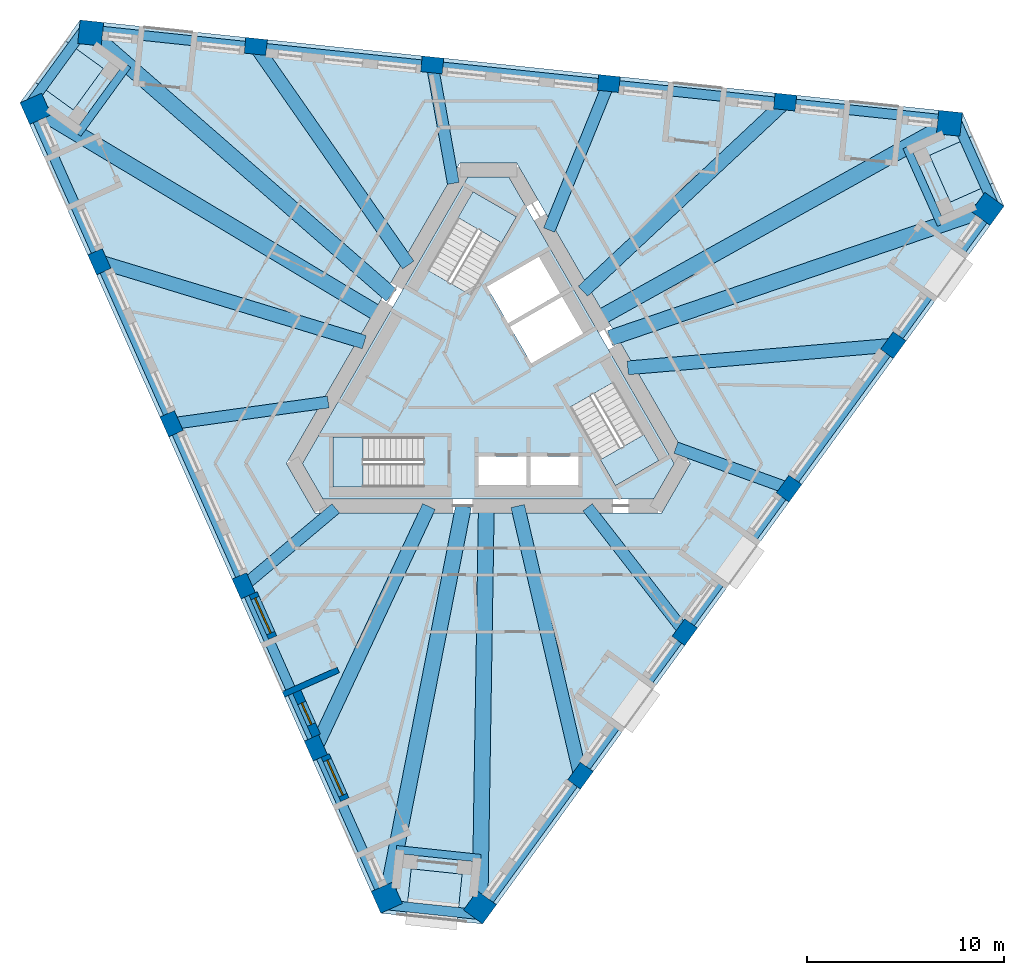
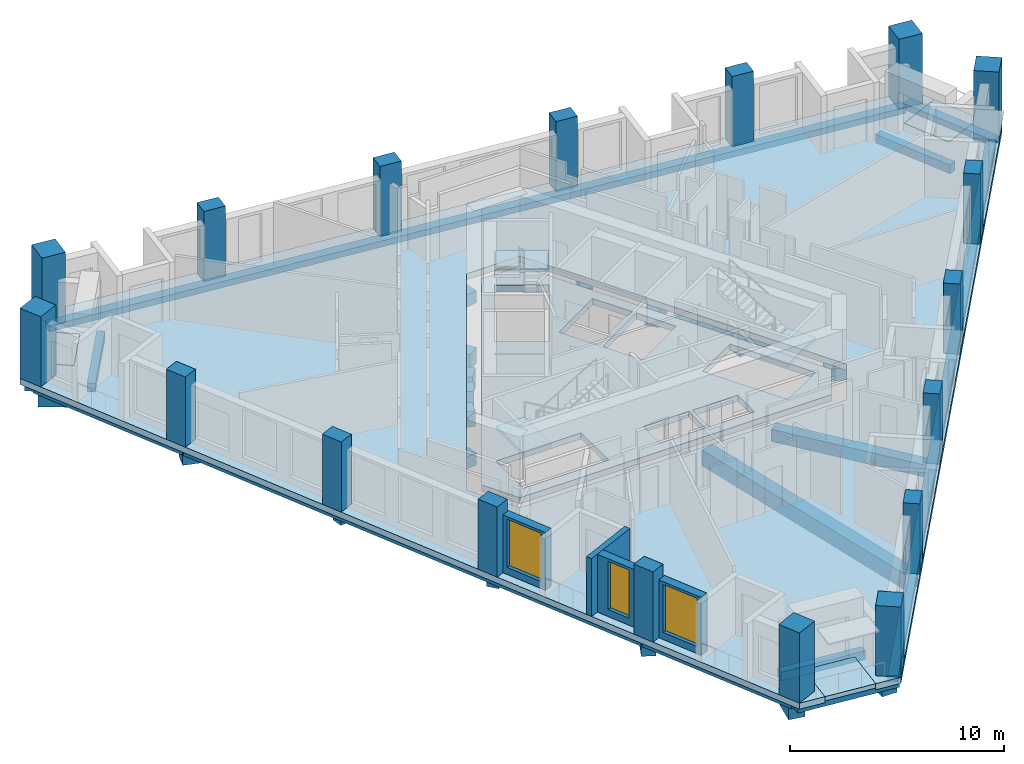
# One storey, part 1 of 11: 27 beams, 18 columns, 8 slabs, 4 walls, 3 windows, 3 openings, 3 elements without a shape of their own.
"""IFC4 building model written with IfcOpenShell, lengths in metres."""

from ifc_helpers import new_model, si_unit, direction, frame, frame_2d, origin, origin_2d, place, context, subcontext, project, spatial, polyline, rectangle, outline, extrude, material, layer, layer_set, material_profile, profile_set, type_object, element, fill, aggregate, save


model = new_model("IFC4")

# Units and contexts
model_context = context("Model", 3, precision=1e-05, world=origin(), true_north=direction((0.0, 1.0)))
body_context = subcontext(model_context, "Body", "Model", "MODEL_VIEW")
ifc_project = project(units=[si_unit("LENGTHUNIT", "METRE"), si_unit("AREAUNIT", "SQUARE_METRE"), si_unit("VOLUMEUNIT", "CUBIC_METRE"), si_unit("PLANEANGLEUNIT", "RADIAN"), si_unit("MASSUNIT", "GRAM", prefix="KILO")], contexts=[model_context])

# Site, building, storey
site_placement = place(None, origin())
site = spatial("IfcSite", under=ifc_project, at=site_placement, CompositionType="ELEMENT")
building_placement = place(site_placement, origin())
building = spatial("IfcBuilding", under=site, at=building_placement, Name="Tramontana Tower", CompositionType="ELEMENT")
storey_placement = place(building_placement, frame((0.0, 0.0, 249.199951171875)))
storey = spatial("IfcBuildingStorey", under=building, at=storey_placement, Name="L58", CompositionType="ELEMENT", Elevation=249.199951171875)

# Columns
ifc_material_1 = material(Name="Concrete 55 MPa", Category="concrete")
ifc_material_profile_1 = material_profile(ifc_material_1, rectangle(XDim=1.199951171875, YDim=1.199951171875, at=origin_2d()), Name="Mega column 1200X1200 55 MPa")
ifc_profile_set_1 = profile_set([ifc_material_profile_1], Name="Concrete 55 MPa")
column_type_1 = type_object("IfcColumnType", Name="Mega column 1200X1200 55 MPa", PredefinedType="COLUMN", material=ifc_profile_set_1)
for number, where, z_axis, x_axis, name in (
    (1, (-22.98291015625, 13.758056640625, 0.0), (0.0, 0.0, 1.0), (0.406736643076, -0.913545457643, 0.0), "Mega column C6K1 L58"),
    (2, (-5.154296875, -26.28564453125, 0.0), (0.0, 0.0, 1.0), (0.406736643076, -0.913545457643, 0.0), "Mega column C6K2 L58"),
    (3, (-0.42333984375, -26.782958984375, 0.0), (0.0, 0.0, 1.0), (0.587785252292, 0.809016994375, 0.0), "Mega column C6K3 L58"),
    (4, (25.341064453125, 8.678955078125, 0.0), (0.0, 0.0, 1.0), (0.587785252292, 0.809016994375, 0.0), "Mega column C6K4 L58"),
    (5, (23.40625, 13.024658203125, 0.0), (0.0, 0.0, 1.0), (-0.994521895368, 0.104528463268, 0.0), "Mega column C6K5 L58"),
    (6, (-20.186767578125, 17.6064453125, 0.0), (0.0, 0.0, 1.0), (-0.994521895368, 0.104528463268, 0.0), "Mega column C6K6 L58"),
):
    element("IfcColumn", number, at=place(storey_placement, frame(where, z_axis=z_axis, x_axis=x_axis)), inside=storey, type_object=column_type_1, Name=name, PredefinedType="COLUMN", context=body_context, shape_type="SweptSolid", body=[
        extrude(rectangle(XDim=1.199951171875, YDim=1.199951171875, at=origin_2d()), origin(), (0.0, 0.0, 1.0), 4.0),
    ])
ifc_material_2 = material(Name="Concrete 55 MPa", Category="concrete")
ifc_material_profile_2 = material_profile(ifc_material_2, rectangle(XDim=1.10009765625, YDim=0.800048828125, at=origin_2d()), Name="Pier column 1100X800 55 MPa")
ifc_profile_set_2 = profile_set([ifc_material_profile_2], Name="Concrete 55 MPa")
column_type_2 = type_object("IfcColumnType", Name="Pier column 1100X800 55 MPa", PredefinedType="COLUMN", material=ifc_profile_set_2)
for number, where, z_axis, x_axis, name in (
    (7, (-19.746337890625, 5.996826171875, 0.0), (0.0, 0.0, 1.0), (0.406736643076, -0.913545457643, 0.0), "Pier column C6F01 L58"),
    (8, (-16.0830078125, -2.231201171875, 0.0), (0.0, 0.0, 1.0), (0.406736643076, -0.913545457643, 0.0), "Pier column C6F02 L58"),
    (9, (-12.419677734375, -10.458984375, 0.0), (0.0, 0.0, 1.0), (0.406736643076, -0.913545457643, 0.0), "Pier column C6F03 L58"),
    (10, (-8.75634765625, -18.68701171875, 0.0), (0.0, 0.0, 1.0), (0.406736643076, -0.913545457643, 0.0), "Pier column C6F04 L58"),
    (11, (4.6796875, -20.099365234375, 0.0), (0.0, 0.0, 1.0), (0.587785252292, 0.809016994375, 0.0), "Pier column C6F05 L58"),
    (12, (9.9736328125, -12.812744140625, 0.0), (0.0, 0.0, 1.0), (0.587785252292, 0.809016994375, 0.0), "Pier column C6F06 L58"),
    (13, (15.267578125, -5.526123046875, 0.0), (0.0, 0.0, 1.0), (0.587785252292, 0.809016994375, 0.0), "Pier column C6F07 L58"),
    (14, (20.5615234375, 1.76025390625, 0.0), (0.0, 0.0, 1.0), (0.587785252292, 0.809016994375, 0.0), "Pier column C6F08 L58"),
    (15, (15.066650390625, 14.102294921875, 0.0), (0.0, 0.0, 1.0), (-0.994521895368, 0.104528463268, 0.0), "Pier column C6F09 L58"),
    (16, (6.109375, 15.043701171875, 0.0), (0.0, 0.0, 1.0), (-0.994521895368, 0.104528463268, 0.0), "Pier column C6F10 L58"),
    (17, (-2.847900390625, 15.9853515625, 0.0), (0.0, 0.0, 1.0), (-0.994521895368, 0.104528463268, 0.0), "Pier column C6F11 L58"),
    (18, (-11.805419921875, 16.9267578125, 0.0), (0.0, 0.0, 1.0), (-0.994521895368, 0.104528463268, 0.0), "Pier column C6F12 L58"),
):
    element("IfcColumn", number, at=place(storey_placement, frame(where, z_axis=z_axis, x_axis=x_axis)), inside=storey, type_object=column_type_2, Name=name, PredefinedType="COLUMN", context=body_context, shape_type="SweptSolid", body=[
        extrude(rectangle(XDim=1.10009765625, YDim=0.800048828125, at=origin_2d()), origin(), (0.0, 0.0, 1.0), 4.0),
    ])

# Beams
ifc_material_3 = material(Name="Concrete 40 MPa", Category="concrete")
ifc_material_profile_3 = material_profile(ifc_material_3, rectangle(XDim=0.5, YDim=0.35009765625, at=origin_2d()), Name="RC EDGE BEAM 500X350 40 MPa")
ifc_profile_set_3 = profile_set([ifc_material_profile_3], Name="Concrete 40 MPa")
beam_type_1 = type_object("IfcBeamType", Name="RC EDGE BEAM 500X350 40 MPa", PredefinedType="SPANDREL", material=ifc_profile_set_3)
for number, where, z_axis, x_axis, name in (
    (19, (-23.119873046875, 13.697021484375, -0.52490234375), (0.406736811644, -0.913545382591, 0.0), (0.913545382591, 0.406736811644, 0.0), "Spandrel beam S0 L58"),
    (20, (-0.302001953125, -26.87109375, -0.52490234375), (0.587782498957, 0.809018994783, 0.0), (-0.809018994783, 0.587782498957, 0.0), "Spandrel beam S1 L58"),
):
    element("IfcBeam", number, at=place(storey_placement, frame(where, z_axis=z_axis, x_axis=x_axis)), inside=storey, type_object=beam_type_1, Name=name, PredefinedType="SPANDREL", context=body_context, shape_type="SweptSolid", body=[
        extrude(rectangle(XDim=0.5, YDim=0.35009765625, at=origin_2d()), origin(), (0.0, 0.0, 1.0), 43.833251953125),
    ])
beam_1_placement = place(storey_placement, frame((23.422119140625, 13.173828125, -0.52490234375), z_axis=(-0.994522012351, 0.104527350249, 0.0), x_axis=(-0.104527350249, -0.994522012351, 0.0)))
element("IfcBeam", 21, at=beam_1_placement, inside=storey, type_object=beam_type_1, Name="Spandrel beam S2 L58", PredefinedType="SPANDREL", context=body_context, shape_type="SweptSolid", body=[
    extrude(rectangle(XDim=0.5, YDim=0.35009765625, at=origin_2d()), origin(), (0.0, 0.0, 1.0), 43.83349609375),
])
for number, where, z_axis, x_axis, name in (
    (22, (-20.356689453125, 18.00146484375, -0.52490234375), (-0.587774926142, -0.809024496662, 0.0), (0.809024496662, -0.587774926142, 0.0), "Spandrel beam K0 L58"),
    (23, (-5.411376953125, -26.630126953125, -0.52490234375), (0.994520631958, -0.104540483116, 0.0), (0.104540483116, 0.994520631958, 0.0), "Spandrel beam K1 L58"),
):
    element("IfcBeam", number, at=place(storey_placement, frame(where, z_axis=z_axis, x_axis=x_axis)), inside=storey, type_object=beam_type_1, Name=name, PredefinedType="SPANDREL", context=body_context, shape_type="SweptSolid", body=[
        extrude(rectangle(XDim=0.5, YDim=0.35009765625, at=origin_2d()), origin(), (0.0, 0.0, 1.0), 5.1962890625),
    ])
beam_2_placement = place(storey_placement, frame((25.76806640625, 8.62890625, -0.52490234375), z_axis=(-0.406713847213, 0.913555606674, 0.0), x_axis=(-0.913555606674, -0.406713847213, 0.0)))
element("IfcBeam", 24, at=beam_2_placement, inside=storey, type_object=beam_type_1, Name="Spandrel beam K2 L58", PredefinedType="SPANDREL", context=body_context, shape_type="SweptSolid", body=[
    extrude(rectangle(XDim=0.5, YDim=0.35009765625, at=origin_2d()), origin(), (0.0, 0.0, 1.0), 5.196044921875),
])
ifc_material_4 = material(Name="Concrete 40 MPa", Category="concrete")
ifc_material_profile_4 = material_profile(ifc_material_4, rectangle(XDim=0.60009765625, YDim=0.699951171875, at=origin_2d()), Name="RC GIRDER 600X700 40 MPa")
ifc_profile_set_4 = profile_set([ifc_material_profile_4], Name="Concrete 40 MPa")
beam_type_2 = type_object("IfcBeamType", Name="RC GIRDER 600X700 40 MPa", PredefinedType="BEAM", material=ifc_profile_set_4)
beam_3_placement = place(storey_placement, frame((-16.0830078125, -2.231201171875, -0.699951171875), z_axis=(0.990511014631, 0.13743336529, 0.0), x_axis=(-0.13743336529, 0.990511014631, 0.0)))
element("IfcBeam", 25, at=beam_3_placement, inside=storey, type_object=beam_type_2, Name="Radial girder C6F02 L58", PredefinedType="BEAM", context=body_context, shape_type="SweptSolid", body=[
    extrude(rectangle(XDim=0.60009765625, YDim=0.699951171875, at=origin_2d()), origin(), (0.0, 0.0, 1.0), 8.032958984375),
])
beam_4_placement = place(storey_placement, frame((-12.419677734375, -10.458984375, -0.699951171875), z_axis=(0.7648987601, 0.644150515638, 0.0), x_axis=(-0.644150515638, 0.7648987601, 0.0)))
element("IfcBeam", 26, at=beam_4_placement, inside=storey, type_object=beam_type_2, Name="Radial girder C6F03 L58", PredefinedType="BEAM", context=body_context, shape_type="SweptSolid", body=[
    extrude(rectangle(XDim=0.60009765625, YDim=0.699951171875, at=origin_2d()), origin(), (0.0, 0.0, 1.0), 6.108154296875),
])
beam_5_placement = place(storey_placement, frame((9.9736328125, -12.812744140625, -0.699951171875), z_axis=(-0.614258279955, 0.789105040857, 0.0), x_axis=(-0.789105040857, -0.614258279955, 0.0)))
element("IfcBeam", 27, at=beam_5_placement, inside=storey, type_object=beam_type_2, Name="Radial girder C6F06 L58", PredefinedType="BEAM", context=body_context, shape_type="SweptSolid", body=[
    extrude(rectangle(XDim=0.60009765625, YDim=0.699951171875, at=origin_2d()), origin(), (0.0, 0.0, 1.0), 8.032958984375),
])
beam_6_placement = place(storey_placement, frame((15.267578125, -5.526123046875, -0.699951171875), z_axis=(-0.940300037895, 0.34034664496, 0.0), x_axis=(-0.34034664496, -0.940300037895, 0.0)))
element("IfcBeam", 28, at=beam_6_placement, inside=storey, type_object=beam_type_2, Name="Radial girder C6F07 L58", PredefinedType="BEAM", context=body_context, shape_type="SweptSolid", body=[
    extrude(rectangle(XDim=0.60009765625, YDim=0.699951171875, at=origin_2d()), origin(), (0.0, 0.0, 1.0), 6.108154296875),
])
beam_7_placement = place(storey_placement, frame((6.109375, 15.043701171875, -0.699951171875), z_axis=(-0.376258836782, -0.92651459122, 0.0), x_axis=(0.92651459122, -0.376258836782, 0.0)))
element("IfcBeam", 29, at=beam_7_placement, inside=storey, type_object=beam_type_2, Name="Radial girder C6F10 L58", PredefinedType="BEAM", context=body_context, shape_type="SweptSolid", body=[
    extrude(rectangle(XDim=0.60009765625, YDim=0.699951171875, at=origin_2d()), origin(), (0.0, 0.0, 1.0), 8.032958984375),
])
beam_8_placement = place(storey_placement, frame((-2.847900390625, 15.9853515625, -0.699951171875), z_axis=(0.175388058889, -0.984499379786, 0.0), x_axis=(0.984499379786, 0.175388058889, 0.0)))
element("IfcBeam", 30, at=beam_8_placement, inside=storey, type_object=beam_type_2, Name="Radial girder C6F11 L58", PredefinedType="BEAM", context=body_context, shape_type="SweptSolid", body=[
    extrude(rectangle(XDim=0.60009765625, YDim=0.699951171875, at=origin_2d()), origin(), (0.0, 0.0, 1.0), 6.108154296875),
])
ifc_material_5 = material(Name="Concrete 40 MPa", Category="concrete")
ifc_material_profile_5 = material_profile(ifc_material_5, rectangle(XDim=0.699951171875, YDim=0.89990234375, at=origin_2d()), Name="RC GIRDER 700X900 40 MPa")
ifc_profile_set_5 = profile_set([ifc_material_profile_5], Name="Concrete 40 MPa")
beam_type_3 = type_object("IfcBeamType", Name="RC GIRDER 700X900 40 MPa", PredefinedType="BEAM", material=ifc_profile_set_5)
beam_9_placement = place(storey_placement, frame((-19.746337890625, 5.996826171875, -0.800048828125), z_axis=(0.956850397844, -0.290580997566, 0.0), x_axis=(0.290580997566, 0.956850397844, 0.0)))
element("IfcBeam", 31, at=beam_9_placement, inside=storey, type_object=beam_type_3, Name="Radial girder C6F01 L58", PredefinedType="BEAM", context=body_context, shape_type="SweptSolid", body=[
    extrude(rectangle(XDim=0.699951171875, YDim=0.89990234375, at=origin_2d()), origin(), (0.0, 0.0, 1.0), 14.05615234375),
])
beam_10_placement = place(storey_placement, frame((-8.75634765625, -18.68701171875, -0.800048828125), z_axis=(0.424308147915, 0.90551786046, 0.0), x_axis=(-0.90551786046, 0.424308147915, 0.0)))
element("IfcBeam", 32, at=beam_10_placement, inside=storey, type_object=beam_type_3, Name="Radial girder C6F04 L58", PredefinedType="BEAM", context=body_context, shape_type="SweptSolid", body=[
    extrude(rectangle(XDim=0.699951171875, YDim=0.89990234375, at=origin_2d()), origin(), (0.0, 0.0, 1.0), 13.532470703125),
])
beam_11_placement = place(storey_placement, frame((4.6796875, -20.099365234375, -0.800048828125), z_axis=(-0.22676563163, 0.973949356133, 0.0), x_axis=(-0.973949356133, -0.22676563163, 0.0)))
element("IfcBeam", 33, at=beam_11_placement, inside=storey, type_object=beam_type_3, Name="Radial girder C6F05 L58", PredefinedType="BEAM", context=body_context, shape_type="SweptSolid", body=[
    extrude(rectangle(XDim=0.699951171875, YDim=0.89990234375, at=origin_2d()), origin(), (0.0, 0.0, 1.0), 14.056396484375),
])
beam_12_placement = place(storey_placement, frame((20.5615234375, 1.760498046875, -0.800048828125), z_axis=(-0.996353926175, -0.085316198904, 0.0), x_axis=(0.085316198904, -0.996353926175, 0.0)))
element("IfcBeam", 34, at=beam_12_placement, inside=storey, type_object=beam_type_3, Name="Radial girder C6F08 L58", PredefinedType="BEAM", context=body_context, shape_type="SweptSolid", body=[
    extrude(rectangle(XDim=0.699951171875, YDim=0.89990234375, at=origin_2d()), origin(), (0.0, 0.0, 1.0), 13.532470703125),
])
beam_13_placement = place(storey_placement, frame((15.066650390625, 14.102294921875, -0.800048828125), z_axis=(-0.730089981105, -0.683351022162, 0.0), x_axis=(0.683351022162, -0.730089981105, 0.0)))
element("IfcBeam", 35, at=beam_13_placement, inside=storey, type_object=beam_type_3, Name="Radial girder C6F09 L58", PredefinedType="BEAM", context=body_context, shape_type="SweptSolid", body=[
    extrude(rectangle(XDim=0.699951171875, YDim=0.89990234375, at=origin_2d()), origin(), (0.0, 0.0, 1.0), 14.056396484375),
])
beam_14_placement = place(storey_placement, frame((-11.805419921875, 16.9267578125, -0.800048828125), z_axis=(0.5720593984, -0.820212194924, 0.0), x_axis=(0.820212194924, 0.5720593984, 0.0)))
element("IfcBeam", 36, at=beam_14_placement, inside=storey, type_object=beam_type_3, Name="Radial girder C6F12 L58", PredefinedType="BEAM", context=body_context, shape_type="SweptSolid", body=[
    extrude(rectangle(XDim=0.699951171875, YDim=0.89990234375, at=origin_2d()), origin(), (0.0, 0.0, 1.0), 13.53271484375),
])
ifc_material_6 = material(Name="Concrete 40 MPa", Category="concrete")
ifc_material_profile_6 = material_profile(ifc_material_6, rectangle(XDim=0.800048828125, YDim=1.10009765625, at=origin_2d()), Name="RC GIRDER 800X1100 40 MPa")
ifc_profile_set_6 = profile_set([ifc_material_profile_6], Name="Concrete 40 MPa")
beam_type_4 = type_object("IfcBeamType", Name="RC GIRDER 800X1100 40 MPa", PredefinedType="BEAM", material=ifc_profile_set_6)
beam_15_placement = place(storey_placement, frame((-22.98291015625, 13.758056640625, -0.89990234375), z_axis=(0.858014507948, -0.513625451229, 0.0), x_axis=(0.513625451229, 0.858014507948, 0.0)))
element("IfcBeam", 37, at=beam_15_placement, inside=storey, type_object=beam_type_4, Name="Radial girder C6K1 L58", PredefinedType="BEAM", context=body_context, shape_type="SweptSolid", body=[
    extrude(rectangle(XDim=0.800048828125, YDim=1.10009765625, at=origin_2d()), origin(), (0.0, 0.0, 1.0), 20.385498046875),
])
beam_16_placement = place(storey_placement, frame((-5.154296875, -26.28564453125, -0.89990234375), z_axis=(0.192429707164, 0.981310760056, 0.0), x_axis=(-0.981310760056, 0.192429707164, 0.0)))
element("IfcBeam", 38, at=beam_16_placement, inside=storey, type_object=beam_type_4, Name="Radial girder C6K2 L58", PredefinedType="BEAM", context=body_context, shape_type="SweptSolid", body=[
    extrude(rectangle(XDim=0.800048828125, YDim=1.10009765625, at=origin_2d()), origin(), (0.0, 0.0, 1.0), 20.2578125),
])
beam_17_placement = place(storey_placement, frame((-0.42333984375, -26.78271484375, -0.89990234375), z_axis=(0.015796706362, 0.99987522425, 0.0), x_axis=(-0.99987522425, 0.015796706362, 0.0)))
element("IfcBeam", 39, at=beam_17_placement, inside=storey, type_object=beam_type_4, Name="Radial girder C6K3 L58", PredefinedType="BEAM", context=body_context, shape_type="SweptSolid", body=[
    extrude(rectangle(XDim=0.800048828125, YDim=1.10009765625, at=origin_2d()), origin(), (0.0, 0.0, 1.0), 20.38525390625),
])
beam_18_placement = place(storey_placement, frame((25.34130859375, 8.67919921875, -0.89990234375), z_axis=(-0.946050478935, -0.324019276136, 0.0), x_axis=(0.324019276136, -0.946050478935, 0.0)))
element("IfcBeam", 40, at=beam_18_placement, inside=storey, type_object=beam_type_4, Name="Radial girder C6K4 L58", PredefinedType="BEAM", context=body_context, shape_type="SweptSolid", body=[
    extrude(rectangle(XDim=0.800048828125, YDim=1.10009765625, at=origin_2d()), origin(), (0.0, 0.0, 1.0), 20.258056640625),
])
beam_19_placement = place(storey_placement, frame((23.40625, 13.024658203125, -0.89990234375), z_axis=(-0.873818675449, -0.486251912528, 0.0), x_axis=(0.486251912528, -0.873818675449, 0.0)))
element("IfcBeam", 41, at=beam_19_placement, inside=storey, type_object=beam_type_4, Name="Radial girder C6K5 L58", PredefinedType="BEAM", context=body_context, shape_type="SweptSolid", body=[
    extrude(rectangle(XDim=0.800048828125, YDim=1.10009765625, at=origin_2d()), origin(), (0.0, 0.0, 1.0), 20.38525390625),
])
beam_20_placement = place(storey_placement, frame((-20.18701171875, 17.606689453125, -0.89990234375), z_axis=(0.753629135933, -0.657299874846, 0.0), x_axis=(0.657299874846, 0.753629135933, 0.0)))
element("IfcBeam", 42, at=beam_20_placement, inside=storey, type_object=beam_type_4, Name="Radial girder C6K6 L58", PredefinedType="BEAM", context=body_context, shape_type="SweptSolid", body=[
    extrude(rectangle(XDim=0.800048828125, YDim=1.10009765625, at=origin_2d()), origin(), (0.0, 0.0, 1.0), 20.2578125),
])
ifc_material_7 = material(Name="Concrete 40 MPa", Category="concrete")
ifc_material_profile_7 = material_profile(ifc_material_7, rectangle(XDim=0.39990234375, YDim=0.5, at=origin_2d()), Name="RC TRIM BEAM 400X500 40 MPa")
ifc_profile_set_7 = profile_set([ifc_material_profile_7], Name="Concrete 40 MPa")
beam_type_5 = type_object("IfcBeamType", Name="RC TRIM BEAM 400X500 40 MPa", PredefinedType="JOIST", material=ifc_profile_set_7)
for number, where, z_axis, x_axis, name in (
    (43, (-18.310302734375, 15.9697265625, -0.599853515625), (-0.587744325324, -0.809046727976, 0.0), (0.809046727976, -0.587744325324, 0.0), "Trimmer beam K0 L58"),
    (44, (-4.675048828125, -23.841796875, -0.599853515625), (0.994517847883, -0.104566965344, 0.0), (0.104566965344, 0.994517847883, 0.0), "Trimmer beam K1 L58"),
    (45, (22.9853515625, 7.872314453125, -0.599853515625), (-0.406773611719, 0.913528997246, 0.0), (-0.913528997246, -0.406773611719, 0.0), "Trimmer beam K2 L58"),
):
    element("IfcBeam", number, at=place(storey_placement, frame(where, z_axis=z_axis, x_axis=x_axis)), inside=storey, type_object=beam_type_5, Name=name, PredefinedType="JOIST", context=body_context, shape_type="SweptSolid", body=[
        extrude(rectangle(XDim=0.39990234375, YDim=0.5, at=origin_2d()), origin(), (0.0, 0.0, 1.0), 4.314697265625),
    ])

# Slabs
ifc_material_8 = material(Name="Precast concrete 50 MPa", Category="concrete")
ifc_layer_1 = layer(ifc_material_8, 0.25)
ifc_layer_set_1 = layer_set([ifc_layer_1], Name="LT1 Loggia floor tray 250")
slab_type_1 = type_object("IfcSlabType", Name="LT1 Loggia floor tray 250", PredefinedType="FLOOR", material=ifc_layer_set_1)
slab_1_placement = place(storey_placement, frame((0.0, 0.0, -0.25)))
element("IfcSlab", 46, at=slab_1_placement, inside=storey, type_object=slab_type_1, Name="Corner loggia floor L58 K60", PredefinedType="FLOOR", context=body_context, shape_type="SweptSolid", body=[
    extrude(outline(polyline([(-21.48388671875, 17.2158203125), (-19.542236328125, 15.80517578125), (-21.070556640625, 13.70166015625), (-23.01220703125, 15.1123046875), (-21.48388671875, 17.2158203125)])), origin(), (0.0, 0.0, 1.0), 0.25),
])
slab_2_placement = place(storey_placement, frame((0.0, 0.0, -0.25)))
element("IfcSlab", 47, at=slab_2_placement, inside=storey, type_object=slab_type_1, Name="Corner loggia floor L58 K61", PredefinedType="FLOOR", context=body_context, shape_type="SweptSolid", body=[
    extrude(outline(polyline([(-4.16748046875, -27.21337890625), (-3.91650390625, -24.82666015625), (-1.330810546875, -25.098388671875), (-1.58154296875, -27.4853515625), (-4.16748046875, -27.21337890625)])), origin(), (0.0, 0.0, 1.0), 0.25),
])
slab_3_placement = place(storey_placement, frame((0.0, 0.0, -0.25)))
element("IfcSlab", 48, at=slab_3_placement, inside=storey, type_object=slab_type_1, Name="Corner loggia floor L58 K62", PredefinedType="FLOOR", context=body_context, shape_type="SweptSolid", body=[
    extrude(outline(polyline([(25.6513671875, 9.99755859375), (23.458740234375, 9.021484375), (22.401123046875, 11.396728515625), (24.59375, 12.372802734375), (25.6513671875, 9.99755859375)])), origin(), (0.0, 0.0, 1.0), 0.25),
])
ifc_material_9 = material(Name="Concrete 40 MPa", Category="concrete")
ifc_layer_2 = layer(ifc_material_9, 0.35009765625)
ifc_layer_set_2 = layer_set([ifc_layer_2], Name="PT FLAT SLAB 350 40 MPa")
slab_type_2 = type_object("IfcSlabType", Name="PT FLAT SLAB 350 40 MPa", PredefinedType="FLOOR", material=ifc_layer_set_2)
slab_4_placement = place(storey_placement, frame((0.0, 0.0, -0.349853515625)))
element("IfcSlab", 49, at=slab_4_placement, inside=storey, type_object=slab_type_2, Name="Floor slab L58", PredefinedType="FLOOR", context=body_context, shape_type="SweptSolid", body=[
    extrude(outline(polyline([(24.59375, 12.372802734375), (22.401123046875, 11.396728515625), (23.458740234375, 9.021484375), (25.6513671875, 9.99755859375), (26.17919921875, 8.811767578125), (-0.290771484375, -27.620849609375), (-1.581787109375, -27.485107421875), (-1.330810546875, -25.098388671875), (-3.91650390625, -24.82666015625), (-4.16748046875, -27.21337890625), (-5.45849609375, -27.077880859375), (-23.775146484375, 14.062255859375), (-23.01220703125, 15.1123046875), (-21.0703125, 13.70166015625), (-19.542236328125, 15.80517578125), (-21.48388671875, 17.2158203125), (-20.720947265625, 18.26611328125), (24.06591796875, 13.55859375), (24.59375, 12.372802734375)]), holes=[polyline([(-10.248046875, -4.25), (-8.8046875, -6.75), (8.8046875, -6.75), (10.248046875, -4.25), (1.443359375, 11.0), (-1.443359375, 11.0), (-10.248046875, -4.25)])]), origin(), (0.0, 0.0, 1.0), 0.349853515625),
])
slab_5_placement = place(storey_placement, frame((0.0, 0.0, -0.349853515625)))
element("IfcSlab", 50, at=slab_5_placement, inside=storey, type_object=slab_type_2, Name="Core floor slab L58", PredefinedType="FLOOR", context=body_context, shape_type="SweptSolid", body=[
    extrude(outline(polyline([(9.439697265625, -4.25), (8.400390625, -6.050048828125), (-8.400390625, -6.050048828125), (-9.439697265625, -4.25), (-1.039306640625, 10.300048828125), (1.039306640625, 10.300048828125), (9.439697265625, -4.25)]), holes=[polyline([(8.659912109375, -4.099365234375), (6.35986328125, -0.115478515625), (4.151611328125, -1.390625), (6.451416015625, -5.374267578125), (8.659912109375, -4.099365234375)]), polyline([(3.829833984375, 4.2666015625), (1.101806640625, 2.69140625), (2.177001953125, 0.82958984375), (4.90478515625, 2.404541015625), (3.829833984375, 4.2666015625)]), polyline([(4.590087890625, -3.89990234375), (2.139892578125, -3.89990234375), (2.139892578125, -5.449951171875), (4.590087890625, -5.449951171875), (4.590087890625, -3.89990234375)]), polyline([(2.65478515625, 6.3017578125), (-0.072998046875, 4.726806640625), (1.001953125, 2.86474609375), (3.729736328125, 4.439697265625), (2.65478515625, 6.3017578125)]), polyline([(1.93994140625, -5.449951171875), (1.93994140625, -3.89990234375), (-0.510009765625, -3.89990234375), (-0.510009765625, -5.449951171875), (1.93994140625, -5.449951171875)]), polyline([(-0.77978515625, 9.54931640625), (-3.079833984375, 5.565673828125), (-0.87158203125, 4.29052734375), (1.428466796875, 8.2744140625), (-0.77978515625, 9.54931640625)]), polyline([(-7.8798828125, -5.449951171875), (-3.280029296875, -5.449951171875), (-3.280029296875, -2.89990234375), (-7.8798828125, -2.89990234375), (-7.8798828125, -5.449951171875)])]), origin(), (0.0, 0.0, 1.0), 0.349853515625),
])

# Stair, slab
ifc_material_10 = material(Name="Concrete 40 MPa", Category="concrete")
stair_type = type_object("IfcStairType", Name="EXIT STAIR 24 RISERS", PredefinedType="HALF_TURN_STAIR", material=ifc_material_10)
stair_1_placement = place(storey_placement, origin())
stair_1 = element("IfcStair", 51, at=stair_1_placement, inside=storey, type_object=stair_type, Name="L58 Exit stair ST1", PredefinedType="HALF_TURN_STAIR")
ifc_material_11 = material(Name="Concrete 40 MPa", Category="concrete")
ifc_layer_3 = layer(ifc_material_11, 0.199951171875)
ifc_layer_set_3 = layer_set([ifc_layer_3], Name="STAIR LANDING 200")
slab_type_3 = type_object("IfcSlabType", Name="STAIR LANDING 200", PredefinedType="LANDING", material=ifc_layer_set_3)
slab_6_placement = place(storey_placement, frame((0.0, 0.0, 1.800048828125)))
slab_6 = element("IfcSlab", 52, at=slab_6_placement, type_object=slab_type_3, Name="ST1 landing 1", PredefinedType="LANDING", context=body_context, shape_type="SweptSolid", body=[
    extrude(outline(polyline([(0.66845703125, 6.9580078125), (1.428466796875, 8.274169921875), (-0.77978515625, 9.54931640625), (-1.539794921875, 8.23291015625), (0.66845703125, 6.9580078125)])), origin(), (0.0, 0.0, 1.0), 0.199951171875),
])
aggregate(stair_1, [slab_6])

stair_2_placement = place(storey_placement, origin())
stair_2 = element("IfcStair", 53, at=stair_2_placement, inside=storey, type_object=stair_type, Name="L58 Exit stair ST2", PredefinedType="HALF_TURN_STAIR")
slab_7_placement = place(storey_placement, frame((0.0, 0.0, 1.800048828125)))
slab_7 = element("IfcSlab", 54, at=slab_7_placement, type_object=slab_type_3, Name="ST2 landing 1", PredefinedType="LANDING", context=body_context, shape_type="SweptSolid", body=[
    extrude(outline(polyline([(-6.360107421875, -2.89990234375), (-7.8798828125, -2.89990234375), (-7.8798828125, -5.449951171875), (-6.360107421875, -5.449951171875), (-6.360107421875, -2.89990234375)])), origin(), (0.0, 0.0, 1.0), 0.199951171875),
])
aggregate(stair_2, [slab_7])

stair_3_placement = place(storey_placement, origin())
stair_3 = element("IfcStair", 55, at=stair_3_placement, inside=storey, type_object=stair_type, Name="L58 Exit stair ST3", PredefinedType="HALF_TURN_STAIR")
slab_8_placement = place(storey_placement, frame((0.0, 0.0, 1.800048828125)))
slab_8 = element("IfcSlab", 56, at=slab_8_placement, type_object=slab_type_3, Name="ST3 landing 1", PredefinedType="LANDING", context=body_context, shape_type="SweptSolid", body=[
    extrude(outline(polyline([(5.69140625, -4.057861328125), (6.451416015625, -5.374267578125), (8.659912109375, -4.099365234375), (7.89990234375, -2.782958984375), (5.69140625, -4.057861328125)])), origin(), (0.0, 0.0, 1.0), 0.199951171875),
])
aggregate(stair_3, [slab_8])

# Wall, opening, window
ifc_material_12 = material(Name="Precast concrete 60 MPa", Category="concrete")
ifc_layer_4 = layer(ifc_material_12, 0.449951171875)
ifc_layer_set_4 = layer_set([ifc_layer_4], Name="Precast concrete 60 MPa, 450 mm")
wall_type_1 = type_object("IfcWallType", Name="EW1 Stone-faced precast wall 450", PredefinedType="SOLIDWALL", material=ifc_layer_set_4)
wall_1_placement = place(storey_placement, frame((-11.94482421875, -10.849609375, 0.0), z_axis=(0.0, 0.0, 1.0), x_axis=(0.406784963852, -0.913523942316, 0.0)))
wall_1 = element("IfcWall", 57, at=wall_1_placement, inside=storey, type_object=wall_type_1, Name="External wall L58 face 0 bay 4", PredefinedType="SOLIDWALL", context=body_context, shape_type="SweptSolid", body=[
    extrude(rectangle(XDim=2.452392578125, YDim=0.449951171875, at=frame_2d((1.22607421875, 0.0))), origin(), (0.0, 0.0, 1.0), 3.300048828125),
])
opening_1_placement = place(wall_1_placement, frame((0.251220703125, 0.0, 0.39990234375)))
opening_1 = element("IfcOpeningElement", 58, at=opening_1_placement, cuts=wall_1, Name="Opening M3", PredefinedType="OPENING", context=body_context, shape_type="SweptSolid", body=[
    extrude(rectangle(XDim=1.949951171875, YDim=2.75, at=frame_2d((0.97509765625, 1.375))), frame((0.0, 0.23486328125, 0.0), z_axis=(0.0, -1.0, 0.0), x_axis=(1.0, 0.0, 0.0)), (0.0, 0.0, 1.0), 0.469970703125),
])
ifc_material_13 = material(Name="Aluminum frame, double glazing unit", Category="aluminium")
window_type_1 = type_object("IfcWindowType", Name="M3 Window 1.95 x 2.75", PartitioningType="SINGLE_PANEL", PredefinedType="WINDOW", material=ifc_material_13)
window_1_placement = place(opening_1_placement, origin())
window_1 = element("IfcWindow", 59, at=window_1_placement, inside=storey, type_object=window_type_1, Name="Window M3 L58 face 0 module 10", OverallHeight=2.75, OverallWidth=1.949951171875, PartitioningType="SINGLE_PANEL", PredefinedType="WINDOW", context=body_context, shape_type="SweptSolid", body=[
    extrude(rectangle(XDim=1.949951171875, YDim=2.75, at=frame_2d((0.97509765625, 1.375))), frame((0.0, 0.030029296875, 0.0), z_axis=(0.0, -1.0, 0.0), x_axis=(1.0, 0.0, 0.0)), (0.0, 0.0, 1.0), 0.06005859375),
])
fill(opening_1, window_1)

wall_2_placement = place(storey_placement, frame((-9.72607421875, -15.83251953125, 0.0), z_axis=(0.0, 0.0, 1.0), x_axis=(0.406701876909, -0.913560935745, 0.0)))
wall_2 = element("IfcWall", 60, at=wall_2_placement, inside=storey, type_object=wall_type_1, Name="External wall L58 face 0 bay 4", PredefinedType="SOLIDWALL", context=body_context, shape_type="SweptSolid", body=[
    extrude(rectangle(XDim=2.4521484375, YDim=0.449951171875, at=frame_2d((1.22607421875, 0.0))), origin(), (0.0, 0.0, 1.0), 3.300048828125),
])
opening_2_placement = place(wall_2_placement, frame((0.626220703125, 0.0, 0.39990234375)))
opening_2 = element("IfcOpeningElement", 61, at=opening_2_placement, cuts=wall_2, Name="Opening N3", PredefinedType="OPENING", context=body_context, shape_type="SweptSolid", body=[
    extrude(rectangle(XDim=1.199951171875, YDim=2.75, at=frame_2d((0.60009765625, 1.375))), frame((0.0, 0.23486328125, 0.0), z_axis=(0.0, -1.0, 0.0), x_axis=(1.0, 0.0, 0.0)), (0.0, 0.0, 1.0), 0.469970703125),
])
ifc_material_14 = material(Name="Aluminum frame, double glazing unit", Category="aluminium")
window_type_2 = type_object("IfcWindowType", Name="N3 Window 1.2 x 2.75", PartitioningType="SINGLE_PANEL", PredefinedType="WINDOW", material=ifc_material_14)
window_2_placement = place(opening_2_placement, origin())
window_2 = element("IfcWindow", 62, at=window_2_placement, inside=storey, type_object=window_type_2, Name="Window N3 L58 face 0 module 12", OverallHeight=2.75, OverallWidth=1.199951171875, PartitioningType="SINGLE_PANEL", PredefinedType="WINDOW", context=body_context, shape_type="SweptSolid", body=[
    extrude(rectangle(XDim=1.199951171875, YDim=2.75, at=frame_2d((0.60009765625, 1.375))), frame((0.0, 0.030029296875, 0.0), z_axis=(0.0, -1.0, 0.0), x_axis=(1.0, 0.0, 0.0)), (0.0, 0.0, 1.0), 0.06005859375),
])
fill(opening_2, window_2)

wall_3_placement = place(storey_placement, frame((-8.28125, -19.07763671875, 0.0), z_axis=(0.0, 0.0, 1.0), x_axis=(0.406701876909, -0.913560935745, 0.0)))
wall_3 = element("IfcWall", 63, at=wall_3_placement, inside=storey, type_object=wall_type_1, Name="External wall L58 face 0 bay 5", PredefinedType="SOLIDWALL", context=body_context, shape_type="SweptSolid", body=[
    extrude(rectangle(XDim=2.4521484375, YDim=0.449951171875, at=frame_2d((1.22607421875, 0.0))), origin(), (0.0, 0.0, 1.0), 3.300048828125),
])
opening_3_placement = place(wall_3_placement, frame((0.251220703125, 0.0, 0.39990234375)))
opening_3 = element("IfcOpeningElement", 64, at=opening_3_placement, cuts=wall_3, Name="Opening M3", PredefinedType="OPENING", context=body_context, shape_type="SweptSolid", body=[
    extrude(rectangle(XDim=1.949951171875, YDim=2.75, at=frame_2d((0.97509765625, 1.375))), frame((0.0, 0.23486328125, 0.0), z_axis=(0.0, -1.0, 0.0), x_axis=(1.0, 0.0, 0.0)), (0.0, 0.0, 1.0), 0.469970703125),
])
window_3_placement = place(opening_3_placement, origin())
window_3 = element("IfcWindow", 65, at=window_3_placement, inside=storey, type_object=window_type_1, Name="Window M3 L58 face 0 module 13", OverallHeight=2.75, OverallWidth=1.949951171875, PartitioningType="SINGLE_PANEL", PredefinedType="WINDOW", context=body_context, shape_type="SweptSolid", body=[
    extrude(rectangle(XDim=1.949951171875, YDim=2.75, at=frame_2d((0.97509765625, 1.375))), frame((0.0, 0.030029296875, 0.0), z_axis=(0.0, -1.0, 0.0), x_axis=(1.0, 0.0, 0.0)), (0.0, 0.0, 1.0), 0.06005859375),
])
fill(opening_3, window_3)

# Wall
ifc_material_15 = material(Name="Precast concrete 60 MPa", Category="concrete")
ifc_layer_5 = layer(ifc_material_15, 0.300048828125)
ifc_layer_set_5 = layer_set([ifc_layer_5], Name="LW1 Stone-faced loggia wall 300")
wall_type_2 = type_object("IfcWallType", Name="LW1 Stone-faced loggia wall 300", PredefinedType="SOLIDWALL", material=ifc_layer_set_5)
wall_4_placement = place(storey_placement, frame((-10.40380859375, -15.969970703125, 0.0), z_axis=(0.0, 0.0, 1.0), x_axis=(0.913557205168, 0.406710256677, 0.0)))
element("IfcWall", 66, at=wall_4_placement, inside=storey, type_object=wall_type_2, Name="Loggia return L58 G6S0.10b", PredefinedType="SOLIDWALL", context=body_context, shape_type="SweptSolid", body=[
    extrude(rectangle(XDim=3.050048828125, YDim=0.300048828125, at=frame_2d((1.52490234375, 0.0))), origin(), (0.0, 0.0, 1.0), 3.300048828125),
])

save(model, "model.ifc")
